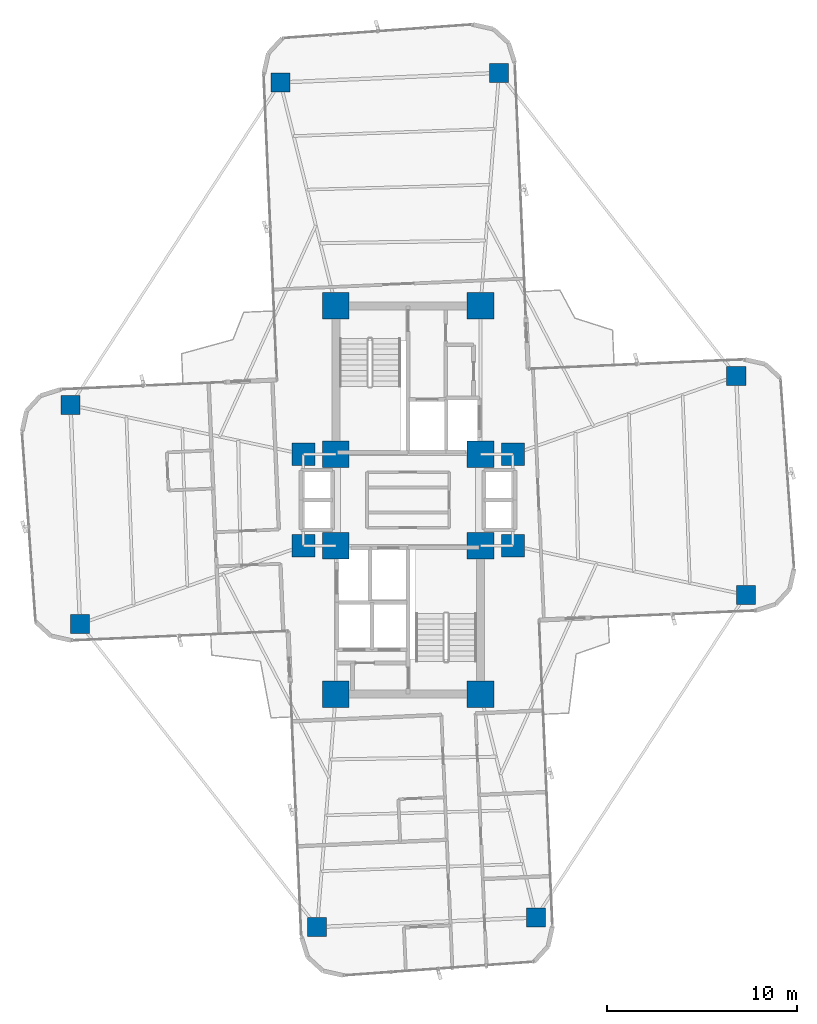
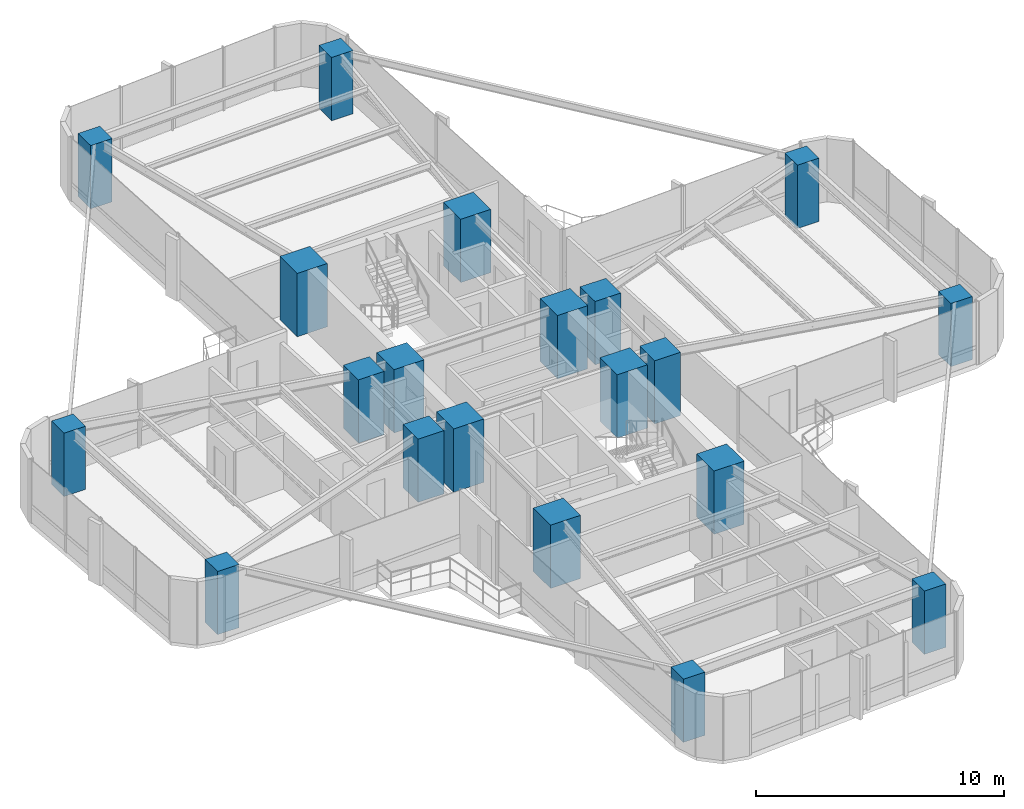
# One storey, part 1 of 26: 20 columns.
"""IFC4 building model written with IfcOpenShell, lengths in metres."""

from ifc_helpers import new_model, si_unit, direction, frame, origin, origin_2d, place, context, subcontext, project, spatial, rectangle, extrude, source, transform, mapped, material, material_profile, profile_set, type_object, element, save


model = new_model("IFC4")

# Units and contexts
model_context = context("Model", 3, precision=1e-05, world=origin(), true_north=direction((0.0, 1.0)))
body_context = subcontext(model_context, "Body", "Model", "MODEL_VIEW")
ifc_project = project(units=[si_unit("LENGTHUNIT", "METRE"), si_unit("AREAUNIT", "SQUARE_METRE"), si_unit("VOLUMEUNIT", "CUBIC_METRE"), si_unit("PLANEANGLEUNIT", "RADIAN"), si_unit("MASSUNIT", "GRAM", prefix="KILO")], contexts=[model_context])

# Site, building, storey
site_placement = place(None, origin())
site = spatial("IfcSite", under=ifc_project, at=site_placement, CompositionType="ELEMENT")
building_placement = place(site_placement, origin())
building = spatial("IfcBuilding", under=site, at=building_placement, Name="Sahyath Konkavel Grand Hotel", CompositionType="ELEMENT")
storey_placement = place(building_placement, frame((0.0, 0.0, 96.89990234375)))
storey = spatial("IfcBuildingStorey", under=building, at=storey_placement, Name="L26", CompositionType="ELEMENT", Elevation=96.89990234375)

# Columns
ifc_material_1 = material(Name="Concrete C70/85", Category="concrete")
ifc_material_profile_1 = material_profile(ifc_material_1, rectangle(XDim=1.39990234375, YDim=1.39990234375, at=origin_2d()), Name="RC 1400x1400")
ifc_profile_set_1 = profile_set([ifc_material_profile_1], Name="Concrete C70/85")
column_type_1 = type_object("IfcColumnType", Name="COL-RC1400", PredefinedType="COLUMN", material=ifc_profile_set_1)
shared_shape_1 = source(origin(), body_context, "Body", "SweptSolid", [
    extrude(rectangle(XDim=1.39990234375, YDim=1.39990234375, at=origin_2d()), origin(), (0.0, 0.0, 1.0), 3.110107421875),
])
for number, where, z_axis, x_axis, name in (
    (1, (-3.800048828125, 2.39990234375, 0.0), (0.0, 0.0, 1.0), (1.0, 0.0, 0.0), "L26 Core Boundary Column NC-SW"),
    (2, (3.800048828125, 2.39990234375, 0.0), (0.0, 0.0, 1.0), (1.0, 0.0, 0.0), "L26 Core Boundary Column NC-SE"),
    (3, (-3.800048828125, 10.199951171875, 0.0), (0.0, 0.0, 1.0), (1.0, 0.0, 0.0), "L26 Core Boundary Column NC-NW"),
    (4, (3.800048828125, 10.199951171875, 0.0), (0.0, 0.0, 1.0), (1.0, 0.0, 0.0), "L26 Core Boundary Column NC-NE"),
    (5, (-3.800048828125, -2.39990234375, 0.0), (0.0, 0.0, 1.0), (1.0, 0.0, 0.0), "L26 Core Boundary Column SC-NW"),
    (6, (3.800048828125, -2.39990234375, 0.0), (0.0, 0.0, 1.0), (1.0, 0.0, 0.0), "L26 Core Boundary Column SC-NE"),
    (7, (-3.800048828125, -10.199951171875, 0.0), (0.0, 0.0, 1.0), (1.0, 0.0, 0.0), "L26 Core Boundary Column SC-SW"),
    (8, (3.800048828125, -10.199951171875, 0.0), (0.0, 0.0, 1.0), (1.0, 0.0, 0.0), "L26 Core Boundary Column SC-SE"),
):
    element("IfcColumn", number, at=place(storey_placement, frame(where, z_axis=z_axis, x_axis=x_axis)), inside=storey, type_object=column_type_1, Name=name, PredefinedType="COLUMN", context=body_context, shape_type="MappedRepresentation", body=[
        mapped(shared_shape_1, transform((0.0, 0.0, 0.0), scale=1.0)),
    ])
ifc_material_2 = material(Name="Concrete C50/60", Category="concrete")
ifc_material_profile_2 = material_profile(ifc_material_2, rectangle(XDim=1.199951171875, YDim=1.199951171875, at=origin_2d()), Name="RC 1200x1200")
ifc_profile_set_2 = profile_set([ifc_material_profile_2], Name="Concrete C50/60")
column_type_2 = type_object("IfcColumnType", Name="COL-RC1200", PredefinedType="COLUMN", material=ifc_profile_set_2)
shared_shape_2 = source(origin(), body_context, "Body", "SweptSolid", [
    extrude(rectangle(XDim=1.199951171875, YDim=1.199951171875, at=origin_2d()), origin(), (0.0, 0.0, 1.0), 3.110107421875),
])
for number, where, z_axis, x_axis, name in (
    (9, (5.5, 2.39990234375, 0.0), (0.0, 0.0, 1.0), (1.0, 0.0, 0.0), "L26 Central Spine Column HB-NE"),
    (10, (-5.5, 2.39990234375, 0.0), (0.0, 0.0, 1.0), (1.0, 0.0, 0.0), "L26 Central Spine Column HB-NW"),
    (11, (5.5, -2.39990234375, 0.0), (0.0, 0.0, 1.0), (1.0, 0.0, 0.0), "L26 Central Spine Column HB-SE"),
    (12, (-5.5, -2.39990234375, 0.0), (0.0, 0.0, 1.0), (1.0, 0.0, 0.0), "L26 Central Spine Column HB-SW"),
):
    element("IfcColumn", number, at=place(storey_placement, frame(where, z_axis=z_axis, x_axis=x_axis)), inside=storey, type_object=column_type_2, Name=name, PredefinedType="COLUMN", context=body_context, shape_type="MappedRepresentation", body=[
        mapped(shared_shape_2, transform((0.0, 0.0, 0.0), scale=1.0)),
    ])
ifc_material_profile_3 = material_profile(ifc_material_2, rectangle(XDim=1.0, YDim=1.0, at=origin_2d()), Name="RC 1000x1000")
ifc_profile_set_3 = profile_set([ifc_material_profile_3], Name="Concrete C50/60")
column_type_3 = type_object("IfcColumnType", Name="COL-RC1000", PredefinedType="COLUMN", material=ifc_profile_set_3)
shared_shape_3 = source(origin(), body_context, "Body", "SweptSolid", [
    extrude(rectangle(XDim=1.0, YDim=1.0, at=origin_2d()), origin(), (0.0, 0.0, 1.0), 3.110107421875),
])
for number, where, z_axis, x_axis, name in (
    (13, (17.734130859375, -4.981201171875, 0.0), (0.0, 0.0, 1.0), (1.0, 0.0, 0.0), "L26 Cruciform Wing Column WC-EA"),
    (14, (17.232421875, 6.5078125, 0.0), (0.0, 0.0, 1.0), (1.0, 0.0, 0.0), "L26 Cruciform Wing Column WC-EB"),
    (15, (4.776123046875, 22.4296875, 0.0), (0.0, 0.0, 1.0), (1.0, 0.0, 0.0), "L26 Cruciform Wing Column WC-NA"),
    (16, (-6.712890625, 21.927978515625, 0.0), (0.0, 0.0, 1.0), (1.0, 0.0, 0.0), "L26 Cruciform Wing Column WC-NB"),
    (17, (-17.734130859375, 4.981201171875, 0.0), (0.0, 0.0, 1.0), (1.0, 0.0, 0.0), "L26 Cruciform Wing Column WC-WA"),
    (18, (-17.232421875, -6.5078125, 0.0), (0.0, 0.0, 1.0), (1.0, 0.0, 0.0), "L26 Cruciform Wing Column WC-WB"),
    (19, (-4.776123046875, -22.4296875, 0.0), (0.0, 0.0, 1.0), (1.0, 0.0, 0.0), "L26 Cruciform Wing Column WC-SA"),
    (20, (6.712890625, -21.927978515625, 0.0), (0.0, 0.0, 1.0), (1.0, 0.0, 0.0), "L26 Cruciform Wing Column WC-SB"),
):
    element("IfcColumn", number, at=place(storey_placement, frame(where, z_axis=z_axis, x_axis=x_axis)), inside=storey, type_object=column_type_3, Name=name, PredefinedType="COLUMN", context=body_context, shape_type="MappedRepresentation", body=[
        mapped(shared_shape_3, transform((0.0, 0.0, 0.0), scale=1.0)),
    ])

save(model, "model.ifc")
